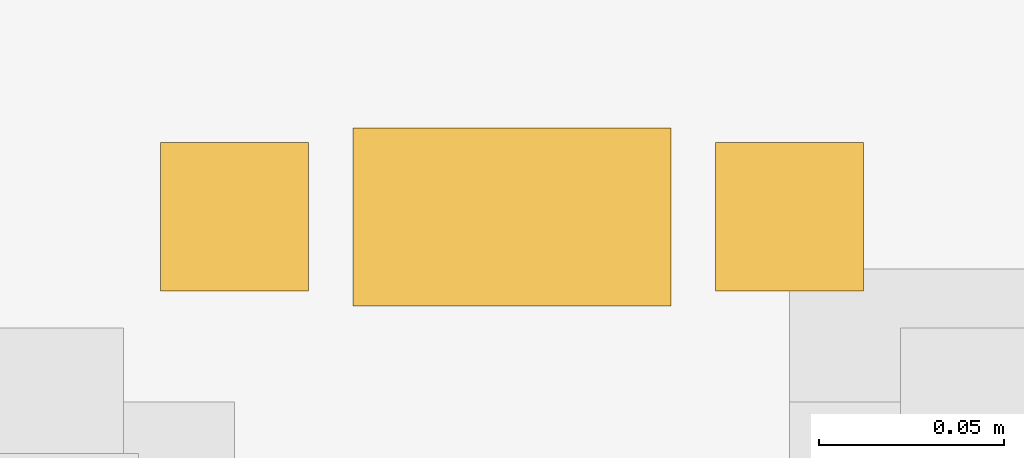
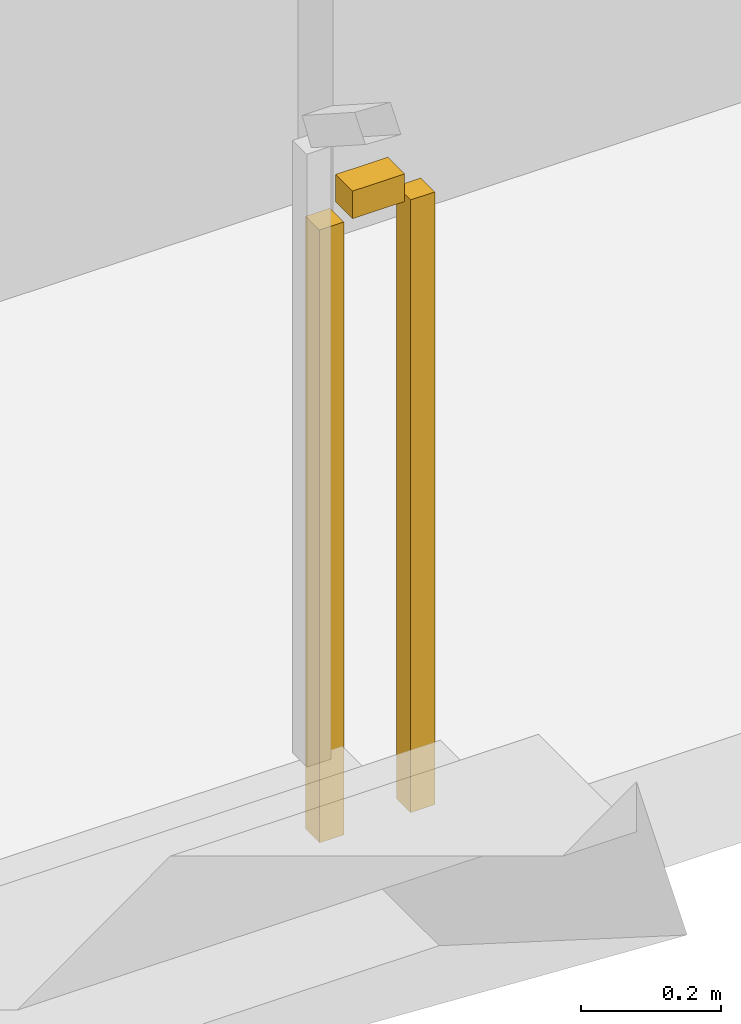
# One storey, part 21 of 21: 1 railing.
"""IFC4 building model written with IfcOpenShell, lengths in metres."""

from ifc_helpers import new_model, si_unit, direction, frame, origin, origin_2d, place, context, subcontext, project, spatial, rectangle, extrude, material, type_object, element, save


model = new_model("IFC4")

# Units and contexts
model_context = context("Model", 3, precision=1e-05, world=origin(), true_north=direction((0.0, 1.0)))
body_context = subcontext(model_context, "Body", "Model", "MODEL_VIEW")
ifc_project = project(units=[si_unit("LENGTHUNIT", "METRE"), si_unit("AREAUNIT", "SQUARE_METRE"), si_unit("VOLUMEUNIT", "CUBIC_METRE"), si_unit("PLANEANGLEUNIT", "RADIAN"), si_unit("MASSUNIT", "GRAM", prefix="KILO")], contexts=[model_context])

# Site, building, storey
site_placement = place(None, origin())
site = spatial("IfcSite", under=ifc_project, at=site_placement, CompositionType="ELEMENT")
building_placement = place(site_placement, origin())
building = spatial("IfcBuilding", under=site, at=building_placement, Name="Tharavind Bronze Gate", CompositionType="ELEMENT")
storey_placement = place(building_placement, frame((0.0, 0.0, 86.10009765625)))
storey = spatial("IfcBuildingStorey", under=building, at=storey_placement, Name="L21", CompositionType="ELEMENT", Elevation=86.10009765625)

# Railing
ifc_material = material(Name="Brushed Bronze Alloy", Category="metal")
railing_type = type_object("IfcRailingType", Name="STAIR WELL GUARD RAILING 1120", PredefinedType="GUARDRAIL", material=ifc_material)
railing_placement = place(storey_placement, frame((6.800048828125, 2.300048828125, 0.0)))
element("IfcRailing", 1, at=railing_placement, inside=storey, type_object=railing_type, Name="L21 ST2 stair guard 4", PredefinedType="GUARDRAIL", context=body_context, shape_type="SweptSolid", body=[
    extrude(rectangle(XDim=0.048095703125, YDim=0.048095703125, at=origin_2d()), frame((0.031982421875, 0.0, 1.09619140625), z_axis=(1.0, 0.0, 0.0), x_axis=(0.0, 1.0, 0.0)), (0.0, 0.0, 1.0), 0.0859375),
    extrude(rectangle(XDim=0.0400390625, YDim=0.0400390625, at=origin_2d()), origin(), (0.0, 0.0, 1.0), 1.068115234375),
    extrude(rectangle(XDim=0.0400390625, YDim=0.0400390625, at=origin_2d()), frame((0.14990234375, 0.0, 0.0)), (0.0, 0.0, 1.0), 1.068115234375),
])

save(model, "model.ifc")
